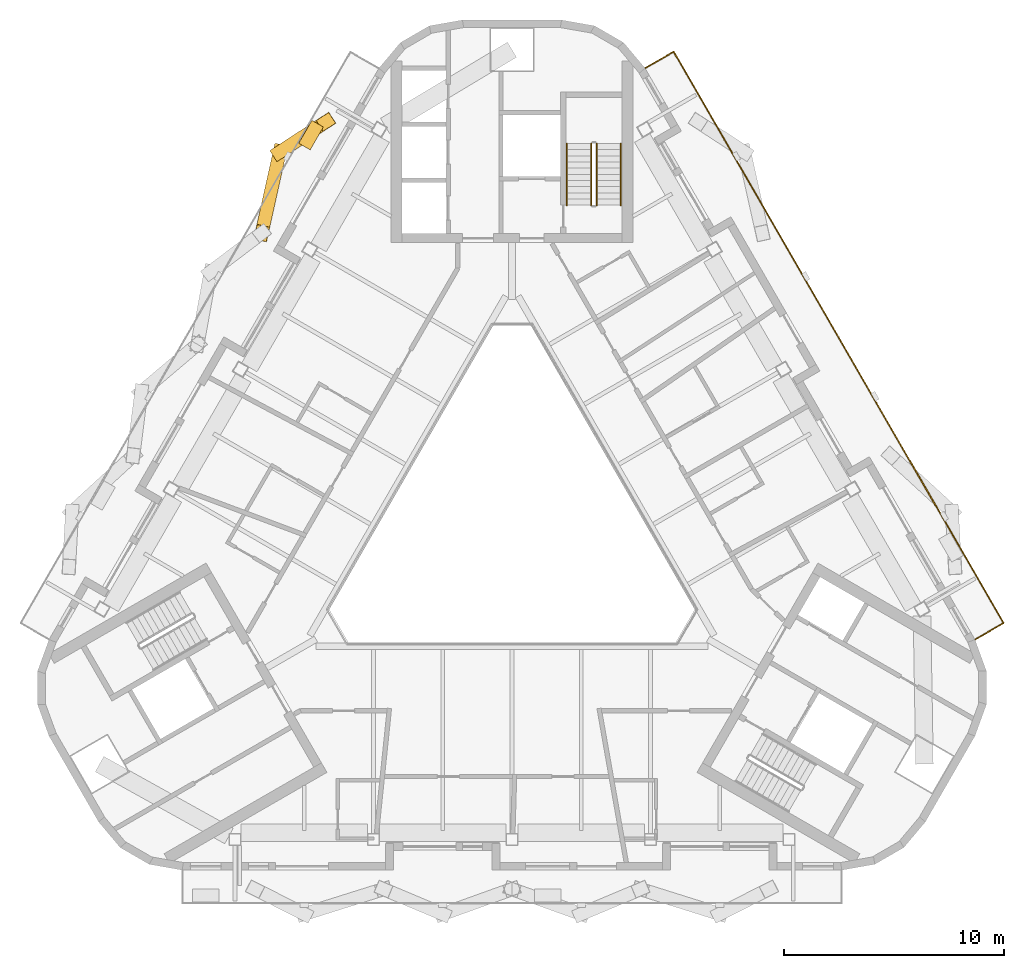
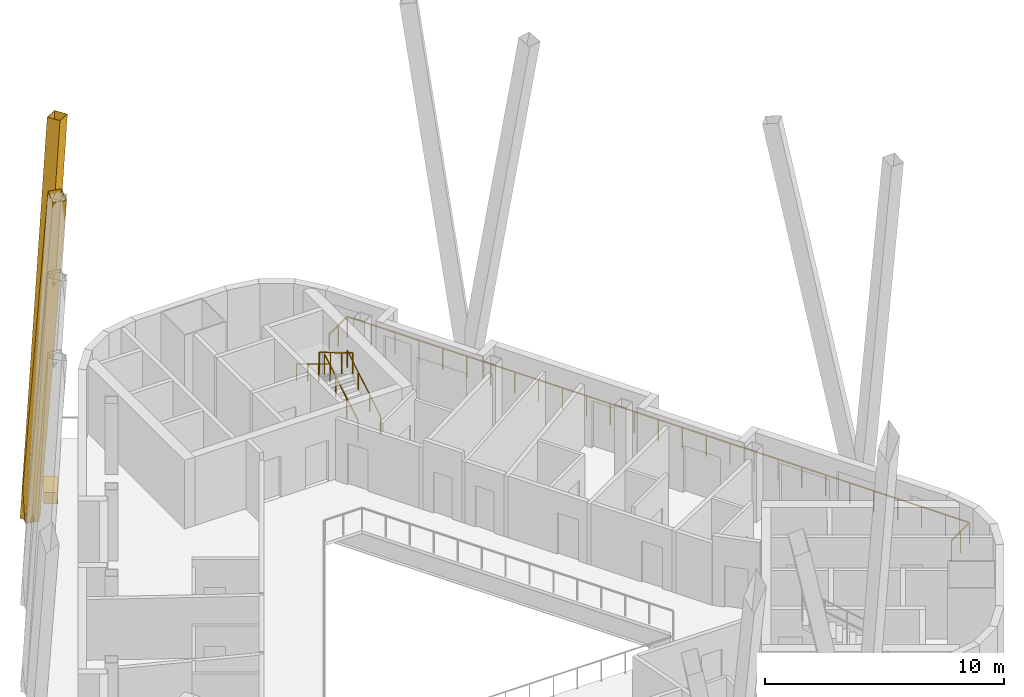
# One storey, part 11 of 12: 5 railings, 2 shading devices, 1 covering.
"""IFC4 building model written with IfcOpenShell, lengths in metres."""

import ifcopenshell
import ifcopenshell.guid

model = None  # the IFC model being written
_history = None  # IfcOwnerHistory: only IFC2X3 demands one
_inside = {}  # id of a spatial element -> (the spatial element, [elements in it])
_under = {}  # id of a project, library or spatial element -> (it, [spatial elements below it])
_declared = {}  # id of a project -> (the project, [libraries it declares])
_typed = {}  # id of a type object -> (the type object, [elements of that type])
_made_of = {}  # id of a material, layer set ... -> (it, [elements and type objects made of it])


def new_model(schema):
    """Start an empty IFC model of exactly this schema.

    Asked for "IFC4X3", IfcOpenShell would pick the latest addendum, in which some entities
    have other attributes; the version numbers below select the first issue.
    IFC2X3 requires an IfcOwnerHistory on every rooted entity: one is made here for all.
    """
    global model, _history
    if schema == "IFC4X3":
        model = ifcopenshell.file(schema_version=(4, 3, 0, 0))
    else:
        model = ifcopenshell.file(schema=schema)
    _inside.clear()
    _under.clear()
    _declared.clear()
    _typed.clear()
    _made_of.clear()
    _history = None
    if model.schema == "IFC2X3":
        org = make("IfcOrganization", Name="unknown")
        user = make(
            "IfcPersonAndOrganization",
            ThePerson=make("IfcPerson", FamilyName="unknown"),
            TheOrganization=org,
        )
        app = make(
            "IfcApplication",
            ApplicationDeveloper=org,
            Version="unknown",
            ApplicationFullName="unknown",
            ApplicationIdentifier="unknown",
        )
        _history = make(
            "IfcOwnerHistory",
            OwningUser=user,
            OwningApplication=app,
            ChangeAction="ADDED",
            CreationDate=0,
        )
    return model


def make(cls, **values):
    """One entity of the class cls with the attributes given. An attribute that is None is left unset."""
    return model.create_entity(
        cls, **{name: value for name, value in values.items() if value is not None}
    )


def rooted(cls, **values):
    """An entity with a GlobalId (a new one), such as an element, a storey or a relation."""
    return make(cls, GlobalId=ifcopenshell.guid.new(), OwnerHistory=_history, **values)


def si_unit(unit_type, name, prefix=None):
    """IfcSIUnit, for example si_unit("LENGTHUNIT", "METRE", prefix="MILLI")."""
    return make("IfcSIUnit", UnitType=unit_type, Prefix=prefix, Name=name)


def assignment(units):
    """IfcUnitAssignment: the units of a project."""
    return None if units is None else make("IfcUnitAssignment", Units=units)


def point(xyz):
    """IfcCartesianPoint."""
    return None if xyz is None else make("IfcCartesianPoint", Coordinates=xyz)


def direction(xyz):
    """IfcDirection."""
    return None if xyz is None else make("IfcDirection", DirectionRatios=xyz)


def frame(location, z_axis=None, x_axis=None):
    """IfcAxis2Placement3D, a coordinate frame: its origin and axes. An axis left out is left unset."""
    return make(
        "IfcAxis2Placement3D",
        Location=point(location),
        Axis=direction(z_axis),
        RefDirection=direction(x_axis),
    )


def frame_2d(location, x_axis=None):
    """IfcAxis2Placement2D, a coordinate frame in the plane: its origin and x axis."""
    return make(
        "IfcAxis2Placement2D", Location=point(location), RefDirection=direction(x_axis)
    )


def origin():
    """The frame at (0, 0, 0) with its axes left unset."""
    return frame((0.0, 0.0, 0.0))


def origin_2d():
    """The frame at (0, 0) in the plane with its x axis left unset."""
    return frame_2d((0.0, 0.0))


def place(relative_to, where):
    """IfcLocalPlacement: puts the frame where relative to a parent placement (None: the world)."""
    return make(
        "IfcLocalPlacement", PlacementRelTo=relative_to, RelativePlacement=where
    )


def context(
    kind, dimensions, precision=None, world=None, true_north=None, identifier=None
):
    """IfcGeometricRepresentationContext, for example the 3D "Model" context."""
    return make(
        "IfcGeometricRepresentationContext",
        ContextIdentifier=identifier,
        ContextType=kind,
        CoordinateSpaceDimension=dimensions,
        Precision=precision,
        WorldCoordinateSystem=world,
        TrueNorth=true_north,
    )


def subcontext(parent, identifier, kind, view, scale=None):
    """IfcGeometricRepresentationSubContext, for example "Body" below "Model"."""
    return make(
        "IfcGeometricRepresentationSubContext",
        ContextIdentifier=identifier,
        ContextType=kind,
        ParentContext=parent,
        TargetScale=scale,
        TargetView=view,
    )


def project(units=None, contexts=None):
    """IfcProject with its units and contexts."""
    return rooted(
        "IfcProject",
        Name="project",
        RepresentationContexts=contexts,
        UnitsInContext=assignment(units),
    )


def spatial(cls, under=None, at=None, **own):
    """A site, building, storey or space (cls), placed at a placement, below another one or the project."""
    s = rooted(cls, ObjectPlacement=at, **own)
    if under is not None:
        _under.setdefault(under.id(), (under, []))[1].append(s)
    return s


def profile(cls, at=None, kind="AREA", **sizes):
    """A parametric profile (cls). Its sizes go by their IFC names, for example OverallWidth=200.0."""
    return make(cls, ProfileType=kind, Position=at, **sizes)


def rectangle(**sizes):
    """IfcRectangleProfileDef."""
    return profile("IfcRectangleProfileDef", **sizes)


def hollow_rectangle(**sizes):
    """IfcRectangleHollowProfileDef."""
    return profile("IfcRectangleHollowProfileDef", **sizes)


def circle(**sizes):
    """IfcCircleProfileDef."""
    return profile("IfcCircleProfileDef", **sizes)


def extrude(swept, where, along, depth):
    """IfcExtrudedAreaSolid: the profile swept, set in the frame where, extruded along a direction by depth."""
    return make(
        "IfcExtrudedAreaSolid",
        SweptArea=swept,
        Position=where,
        ExtrudedDirection=direction(along),
        Depth=depth,
    )


def shape(context_of_items, identifier, shape_type, items):
    """IfcShapeRepresentation: the items that make up one representation, for example the "Body"."""
    return make(
        "IfcShapeRepresentation",
        ContextOfItems=context_of_items,
        RepresentationIdentifier=identifier,
        RepresentationType=shape_type,
        Items=items,
    )


def material(Name=None, Category=None):
    """IfcMaterial."""
    return make("IfcMaterial", Name=Name, Category=Category)


def material_profile(
    of_material, cross_section, Name=None, Category=None, Priority=None
):
    """IfcMaterialProfile: a cross section and its material."""
    return make(
        "IfcMaterialProfile",
        Name=Name,
        Material=of_material,
        Profile=cross_section,
        Priority=Priority,
        Category=Category,
    )


def profile_set(profiles, Name=None, composite=None):
    """IfcMaterialProfileSet."""
    return make(
        "IfcMaterialProfileSet",
        Name=Name,
        MaterialProfiles=profiles,
        CompositeProfile=composite,
    )


def made_of(thing, what):
    """Note that an element or type object is made of a material, layer set ...; save() writes the relation."""
    if what is not None:
        _made_of.setdefault(what.id(), (what, []))[1].append(thing)
    return thing


def type_object(cls, material=None, **own):
    """A type object (cls), such as IfcWallType, which elements share."""
    return made_of(rooted(cls, **own), material)


def element(
    cls,
    number,
    at=None,
    inside=None,
    cuts=None,
    type_object=None,
    material=None,
    context=None,
    identifier="Body",
    shape_type=None,
    held_by="IfcProductDefinitionShape",
    body=None,
    shapes=None,
    **own,
):
    """One element of the class cls, such as IfcWall. Its Tag is "e" and its number.

    at: its placement. inside: the storey or other place that contains it. cuts: it is an
    opening in that element (IfcRelVoidsElement). A single representation is given by context,
    identifier, shape_type and body (its items); several are given by shapes. held_by: the class
    of the entity that holds the representations. save() writes the other relations.
    """
    e = rooted(cls, Tag="e%d" % number, ObjectPlacement=at, **own)
    if body is not None:
        shapes = [shape(context, identifier, shape_type, body)]
    if shapes is not None:
        e.Representation = make(held_by, Representations=shapes)
    if inside is not None:
        _inside.setdefault(inside.id(), (inside, []))[1].append(e)
    if cuts is not None:
        rooted(
            "IfcRelVoidsElement", RelatingBuildingElement=cuts, RelatedOpeningElement=e
        )
    if type_object is not None:
        _typed.setdefault(type_object.id(), (type_object, []))[1].append(e)
    return made_of(e, material)


def aggregate(whole, parts):
    """IfcRelAggregates: a whole, such as a stair, and the parts it consists of."""
    return rooted("IfcRelAggregates", RelatingObject=whole, RelatedObjects=parts)


def save(model, path):
    """Write the relations noted so far, then the file.

    IfcRelAggregates (storeys below a building ...), IfcRelContainedInSpatialStructure (elements
    in a storey), IfcRelDefinesByType, IfcRelAssociatesMaterial and IfcRelDeclares: one each for
    every whole, place, type object, material and project.
    """
    for whole, parts in _under.values():
        aggregate(whole, parts)
    for where, things in _inside.values():
        rooted(
            "IfcRelContainedInSpatialStructure",
            RelatedElements=things,
            RelatingStructure=where,
        )
    for kind, things in _typed.values():
        rooted("IfcRelDefinesByType", RelatedObjects=things, RelatingType=kind)
    for what, things in _made_of.values():
        rooted("IfcRelAssociatesMaterial", RelatedObjects=things, RelatingMaterial=what)
    for by, libraries in _declared.values():
        rooted("IfcRelDeclares", RelatingContext=by, RelatedDefinitions=libraries)
    model.write(path)


model = new_model("IFC4")

# Units and contexts
model_context = context("Model", 3, precision=1e-05, world=origin(), true_north=direction((0.0, 1.0)))
body_context = subcontext(model_context, "Body", "Model", "MODEL_VIEW")
ifc_project = project(units=[si_unit("LENGTHUNIT", "METRE"), si_unit("AREAUNIT", "SQUARE_METRE"), si_unit("VOLUMEUNIT", "CUBIC_METRE"), si_unit("PLANEANGLEUNIT", "RADIAN"), si_unit("MASSUNIT", "GRAM", prefix="KILO")], contexts=[model_context])

# Site, building, storey
site_placement = place(None, origin())
site = spatial("IfcSite", under=ifc_project, at=site_placement, CompositionType="ELEMENT")
building_placement = place(site_placement, origin())
building = spatial("IfcBuilding", under=site, at=building_placement, Name="Apuvela Tower Hotel", CompositionType="ELEMENT")
storey_placement = place(building_placement, frame((0.0, 0.0, 324.39990234375)))
storey = spatial("IfcBuildingStorey", under=building, at=storey_placement, Name="L81", CompositionType="ELEMENT", Elevation=324.39990234375)

# Railings
ifc_material_1 = material(Name="Steel S275 balustrade", Category="steel")
railing_type_1 = type_object("IfcRailingType", Name="COR-GUARD-1100", PredefinedType="GUARDRAIL", material=ifc_material_1)
railing_1_placement = place(storey_placement, frame((3.85009765625, 14.60009765625, 0.168212890625)))
element("IfcRailing", 1, at=railing_1_placement, inside=storey, type_object=railing_type_1, Name="L81 ST1 stair guard 1", PredefinedType="GUARDRAIL", context=body_context, shape_type="SweptSolid", body=[
    extrude(rectangle(XDim=0.048095703125, YDim=0.048095703125, at=origin_2d()), frame((0.0, 0.0, 1.076171875), z_axis=(0.0, 0.857222391501, 0.514946377315), x_axis=(-1.0, 0.0, 0.0)), (0.0, 0.0, 1.0), 3.26611328125),
    extrude(rectangle(XDim=0.0419921875, YDim=0.0419921875, at=origin_2d()), origin(), (0.0, 0.0, 1.0), 1.052001953125),
    extrude(rectangle(XDim=0.0419921875, YDim=0.0419921875, at=origin_2d()), frame((0.0, 0.933349609375, 0.560546875)), (0.0, 0.0, 1.0), 1.052001953125),
    extrude(rectangle(XDim=0.0419921875, YDim=0.0419921875, at=origin_2d()), frame((0.0, 1.866455078125, 1.121337890625)), (0.0, 0.0, 1.0), 1.052001953125),
    extrude(rectangle(XDim=0.0419921875, YDim=0.0419921875, at=origin_2d()), frame((0.0, 2.7998046875, 1.681884765625)), (0.0, 0.0, 1.0), 1.052001953125),
])
railing_2_placement = place(storey_placement, frame((3.60009765625, 17.39990234375, 2.018310546875)))
element("IfcRailing", 2, at=railing_2_placement, inside=storey, type_object=railing_type_1, Name="L81 ST1 stair guard 3", PredefinedType="GUARDRAIL", context=body_context, shape_type="SweptSolid", body=[
    extrude(rectangle(XDim=0.048095703125, YDim=0.048095703125, at=origin_2d()), frame((0.0, 0.0, 1.076171875), z_axis=(0.0, -0.857222391501, 0.514946377315), x_axis=(1.0, 0.0, 0.0)), (0.0, 0.0, 1.0), 3.26611328125),
    extrude(rectangle(XDim=0.0419921875, YDim=0.0419921875, at=origin_2d()), origin(), (0.0, 0.0, 1.0), 1.052001953125),
    extrude(rectangle(XDim=0.0419921875, YDim=0.0419921875, at=origin_2d()), frame((0.0, -0.933349609375, 0.560546875)), (0.0, 0.0, 1.0), 1.052001953125),
    extrude(rectangle(XDim=0.0419921875, YDim=0.0419921875, at=origin_2d()), frame((0.0, -1.866455078125, 1.121337890625)), (0.0, 0.0, 1.0), 1.052001953125),
    extrude(rectangle(XDim=0.0419921875, YDim=0.0419921875, at=origin_2d()), frame((0.0, -2.7998046875, 1.681884765625)), (0.0, 0.0, 1.0), 1.052001953125),
])
ifc_material_2 = material(Name="Stainless steel 316 handrail", Category="steel")
railing_type_2 = type_object("IfcRailingType", Name="COR-HANDRAIL-900", PredefinedType="HANDRAIL", material=ifc_material_2)
railing_3_placement = place(storey_placement, frame((4.949951171875, 14.60009765625, 0.168212890625)))
element("IfcRailing", 3, at=railing_3_placement, inside=storey, type_object=railing_type_2, Name="L81 ST1 stair handrail 1", PredefinedType="HANDRAIL", context=body_context, shape_type="SweptSolid", body=[
    extrude(circle(Radius=0.02392578125, at=origin_2d()), frame((0.0, 0.0, 0.8759765625), z_axis=(0.0, 0.857222391501, 0.514946377315), x_axis=(-1.0, 0.0, 0.0)), (0.0, 0.0, 1.0), 3.26611328125),
    extrude(rectangle(XDim=0.0419921875, YDim=0.0419921875, at=origin_2d()), origin(), (0.0, 0.0, 1.0), 0.851806640625),
    extrude(rectangle(XDim=0.0419921875, YDim=0.0419921875, at=origin_2d()), frame((0.0, 0.933349609375, 0.560546875)), (0.0, 0.0, 1.0), 0.851806640625),
    extrude(rectangle(XDim=0.0419921875, YDim=0.0419921875, at=origin_2d()), frame((0.0, 1.866455078125, 1.121337890625)), (0.0, 0.0, 1.0), 0.851806640625),
    extrude(rectangle(XDim=0.0419921875, YDim=0.0419921875, at=origin_2d()), frame((0.0, 2.7998046875, 1.681884765625)), (0.0, 0.0, 1.0), 0.851806640625),
])
railing_4_placement = place(storey_placement, frame((2.5, 17.39990234375, 2.018310546875)))
element("IfcRailing", 4, at=railing_4_placement, inside=storey, type_object=railing_type_2, Name="L81 ST1 stair handrail 2", PredefinedType="HANDRAIL", context=body_context, shape_type="SweptSolid", body=[
    extrude(circle(Radius=0.02392578125, at=origin_2d()), frame((0.0, 0.0, 0.8759765625), z_axis=(0.0, -0.857222391501, 0.514946377315), x_axis=(1.0, 0.0, 0.0)), (0.0, 0.0, 1.0), 3.26611328125),
    extrude(rectangle(XDim=0.0419921875, YDim=0.0419921875, at=origin_2d()), origin(), (0.0, 0.0, 1.0), 0.851806640625),
    extrude(rectangle(XDim=0.0419921875, YDim=0.0419921875, at=origin_2d()), frame((0.0, -0.933349609375, 0.560546875)), (0.0, 0.0, 1.0), 0.851806640625),
    extrude(rectangle(XDim=0.0419921875, YDim=0.0419921875, at=origin_2d()), frame((0.0, -1.866455078125, 1.121337890625)), (0.0, 0.0, 1.0), 0.851806640625),
    extrude(rectangle(XDim=0.0419921875, YDim=0.0419921875, at=origin_2d()), frame((0.0, -2.7998046875, 1.681884765625)), (0.0, 0.0, 1.0), 0.851806640625),
])

# Shading devices
ifc_material_3 = material(Name="Aluminium 6063-T6, black anodised", Category="aluminium")
ifc_material_profile = material_profile(ifc_material_3, hollow_rectangle(XDim=0.60009765625, YDim=0.699951171875, WallThickness=0.011962890625, at=origin_2d()), Name="AL BOX 700x600x12")
ifc_profile_set = profile_set([ifc_material_profile], Name="Aluminium 6063-T6, black anodised")
shading_device_type = type_object("IfcShadingDeviceType", Name="ENV-FIN-700x600", PredefinedType="USERDEFINED", material=ifc_profile_set)
shading_device_1_placement = place(storey_placement, frame((-10.5673828125, 17.017333984375, -0.099853515625), z_axis=(0.11021436548, 0.071926814326, 0.99130183447), x_axis=(-0.546523001194, 0.837444093159, 0.0)))
element("IfcShadingDevice", 5, at=shading_device_1_placement, inside=storey, type_object=shading_device_type, Name="Lattice fin NW709", ObjectType="FIN", PredefinedType="USERDEFINED", context=body_context, shape_type="SweptSolid", body=[
    extrude(hollow_rectangle(XDim=0.60009765625, YDim=0.699951171875, WallThickness=0.011962890625, at=origin_2d()), origin(), (0.0, 0.0, 1.0), 19.065673828125),
])
shading_device_2_placement = place(storey_placement, frame((-10.5673828125, 17.017333984375, -0.099853515625), z_axis=(-0.04263536803, -0.191517161206, 0.980562798783), x_axis=(0.976104964772, -0.217299557634, 0.0)))
element("IfcShadingDevice", 6, at=shading_device_2_placement, inside=storey, type_object=shading_device_type, Name="Lattice fin NW710", ObjectType="FIN", PredefinedType="USERDEFINED", context=body_context, shape_type="SweptSolid", body=[
    extrude(hollow_rectangle(XDim=0.60009765625, YDim=0.699951171875, WallThickness=0.011962890625, at=origin_2d()), origin(), (0.0, 0.0, 1.0), 19.274658203125),
])

# Railing
ifc_material_4 = material(Name="Stainless steel 316 rail with laminated glass infill", Category="steel")
railing_type_3 = type_object("IfcRailingType", Name="ENV-GUARD-1100", PredefinedType="GUARDRAIL", material=ifc_material_4)
railing_5_placement = place(storey_placement, frame((21.067626953125, -5.169677734375, 0.0)))
element("IfcRailing", 7, at=railing_5_placement, inside=storey, type_object=railing_type_3, Name="Balcony guard NE L81", PredefinedType="GUARDRAIL", context=body_context, shape_type="SweptSolid", body=[
    extrude(rectangle(XDim=0.050048828125, YDim=0.050048828125, at=origin_2d()), frame((0.0, 0.0, 1.0751953125), z_axis=(0.866031096941, 0.499990139034, 0.0), x_axis=(-0.499990139034, 0.866031096941, 0.0)), (0.0, 0.0, 1.0), 1.5),
    extrude(rectangle(XDim=0.050048828125, YDim=0.050048828125, at=origin_2d()), frame((1.299072265625, 0.75, 1.0751953125), z_axis=(-0.499994407638, 0.866028632512, 0.0), x_axis=(-0.866028632512, -0.499994407638, 0.0)), (0.0, 0.0, 1.0), 30.021728515625),
    extrude(rectangle(XDim=0.050048828125, YDim=0.050048828125, at=origin_2d()), frame((-13.711669921875, 26.749755859375, 1.0751953125), z_axis=(-0.866031096941, -0.499990139034, 0.0), x_axis=(0.499990139034, -0.866031096941, 0.0)), (0.0, 0.0, 1.0), 1.5),
    extrude(rectangle(XDim=0.0400390625, YDim=0.0400390625, at=origin_2d()), origin(), (0.0, 0.0, 1.0), 1.050048828125),
    extrude(rectangle(XDim=0.0400390625, YDim=0.0400390625, at=origin_2d()), frame((0.6494140625, 0.375, 0.0)), (0.0, 0.0, 1.0), 1.050048828125),
    extrude(rectangle(XDim=0.0400390625, YDim=0.0400390625, at=origin_2d()), frame((1.299072265625, 0.75, 0.0)), (0.0, 0.0, 1.0), 1.050048828125),
    extrude(rectangle(XDim=0.0400390625, YDim=0.0400390625, at=origin_2d()), frame((0.7216796875, 1.75, 0.0)), (0.0, 0.0, 1.0), 1.050048828125),
    extrude(rectangle(XDim=0.0400390625, YDim=0.0400390625, at=origin_2d()), frame((0.144287109375, 2.75, 0.0)), (0.0, 0.0, 1.0), 1.050048828125),
    extrude(rectangle(XDim=0.0400390625, YDim=0.0400390625, at=origin_2d()), frame((-0.432861328125, 3.75, 0.0)), (0.0, 0.0, 1.0), 1.050048828125),
    extrude(rectangle(XDim=0.0400390625, YDim=0.0400390625, at=origin_2d()), frame((-1.01025390625, 4.75, 0.0)), (0.0, 0.0, 1.0), 1.050048828125),
    extrude(rectangle(XDim=0.0400390625, YDim=0.0400390625, at=origin_2d()), frame((-1.587646484375, 5.75, 0.0)), (0.0, 0.0, 1.0), 1.050048828125),
    extrude(rectangle(XDim=0.0400390625, YDim=0.0400390625, at=origin_2d()), frame((-2.1650390625, 6.75, 0.0)), (0.0, 0.0, 1.0), 1.050048828125),
    extrude(rectangle(XDim=0.0400390625, YDim=0.0400390625, at=origin_2d()), frame((-2.7421875, 7.75, 0.0)), (0.0, 0.0, 1.0), 1.050048828125),
    extrude(rectangle(XDim=0.0400390625, YDim=0.0400390625, at=origin_2d()), frame((-3.319580078125, 8.75, 0.0)), (0.0, 0.0, 1.0), 1.050048828125),
    extrude(rectangle(XDim=0.0400390625, YDim=0.0400390625, at=origin_2d()), frame((-3.89697265625, 9.75, 0.0)), (0.0, 0.0, 1.0), 1.050048828125),
    extrude(rectangle(XDim=0.0400390625, YDim=0.0400390625, at=origin_2d()), frame((-4.474365234375, 10.75, 0.0)), (0.0, 0.0, 1.0), 1.050048828125),
    extrude(rectangle(XDim=0.0400390625, YDim=0.0400390625, at=origin_2d()), frame((-5.051513671875, 11.75, 0.0)), (0.0, 0.0, 1.0), 1.050048828125),
    extrude(rectangle(XDim=0.0400390625, YDim=0.0400390625, at=origin_2d()), frame((-5.62890625, 12.75, 0.0)), (0.0, 0.0, 1.0), 1.050048828125),
    extrude(rectangle(XDim=0.0400390625, YDim=0.0400390625, at=origin_2d()), frame((-6.206298828125, 13.75, 0.0)), (0.0, 0.0, 1.0), 1.050048828125),
    extrude(rectangle(XDim=0.0400390625, YDim=0.0400390625, at=origin_2d()), frame((-6.78369140625, 14.749755859375, 0.0)), (0.0, 0.0, 1.0), 1.050048828125),
    extrude(rectangle(XDim=0.0400390625, YDim=0.0400390625, at=origin_2d()), frame((-7.361083984375, 15.749755859375, 0.0)), (0.0, 0.0, 1.0), 1.050048828125),
    extrude(rectangle(XDim=0.0400390625, YDim=0.0400390625, at=origin_2d()), frame((-7.938232421875, 16.749755859375, 0.0)), (0.0, 0.0, 1.0), 1.050048828125),
    extrude(rectangle(XDim=0.0400390625, YDim=0.0400390625, at=origin_2d()), frame((-8.515625, 17.749755859375, 0.0)), (0.0, 0.0, 1.0), 1.050048828125),
    extrude(rectangle(XDim=0.0400390625, YDim=0.0400390625, at=origin_2d()), frame((-9.093017578125, 18.749755859375, 0.0)), (0.0, 0.0, 1.0), 1.050048828125),
    extrude(rectangle(XDim=0.0400390625, YDim=0.0400390625, at=origin_2d()), frame((-9.67041015625, 19.749755859375, 0.0)), (0.0, 0.0, 1.0), 1.050048828125),
    extrude(rectangle(XDim=0.0400390625, YDim=0.0400390625, at=origin_2d()), frame((-10.24755859375, 20.749755859375, 0.0)), (0.0, 0.0, 1.0), 1.050048828125),
    extrude(rectangle(XDim=0.0400390625, YDim=0.0400390625, at=origin_2d()), frame((-10.824951171875, 21.749755859375, 0.0)), (0.0, 0.0, 1.0), 1.050048828125),
    extrude(rectangle(XDim=0.0400390625, YDim=0.0400390625, at=origin_2d()), frame((-11.40234375, 22.749755859375, 0.0)), (0.0, 0.0, 1.0), 1.050048828125),
    extrude(rectangle(XDim=0.0400390625, YDim=0.0400390625, at=origin_2d()), frame((-11.979736328125, 23.749755859375, 0.0)), (0.0, 0.0, 1.0), 1.050048828125),
    extrude(rectangle(XDim=0.0400390625, YDim=0.0400390625, at=origin_2d()), frame((-12.556884765625, 24.749755859375, 0.0)), (0.0, 0.0, 1.0), 1.050048828125),
    extrude(rectangle(XDim=0.0400390625, YDim=0.0400390625, at=origin_2d()), frame((-13.13427734375, 25.749755859375, 0.0)), (0.0, 0.0, 1.0), 1.050048828125),
    extrude(rectangle(XDim=0.0400390625, YDim=0.0400390625, at=origin_2d()), frame((-13.711669921875, 26.749755859375, 0.0)), (0.0, 0.0, 1.0), 1.050048828125),
    extrude(rectangle(XDim=0.0400390625, YDim=0.0400390625, at=origin_2d()), frame((-14.361328125, 26.374755859375, 0.0)), (0.0, 0.0, 1.0), 1.050048828125),
    extrude(rectangle(XDim=0.0400390625, YDim=0.0400390625, at=origin_2d()), frame((-15.0107421875, 25.999755859375, 0.0)), (0.0, 0.0, 1.0), 1.050048828125),
])

# Covering
ifc_material_5 = material(Name="Planting substrate and soil, planted")
covering_type = type_object("IfcCoveringType", Name="ENV-PLANTER-1200x600", PredefinedType="USERDEFINED", material=ifc_material_5)
covering_placement = place(storey_placement, frame((-9.143310546875, 17.7841796875, 0.0), z_axis=(0.0, 0.0, 1.0), x_axis=(-0.5, -0.866025403784, 0.0)))
element("IfcCovering", 8, at=covering_placement, inside=storey, type_object=covering_type, Name="Planter NW4", ObjectType="PLANTER", PredefinedType="USERDEFINED", context=body_context, shape_type="SweptSolid", body=[
    extrude(rectangle(XDim=1.199951171875, YDim=0.60009765625, at=origin_2d()), origin(), (0.0, 0.0, 1.0), 0.60009765625),
])

save(model, "model.ifc")
